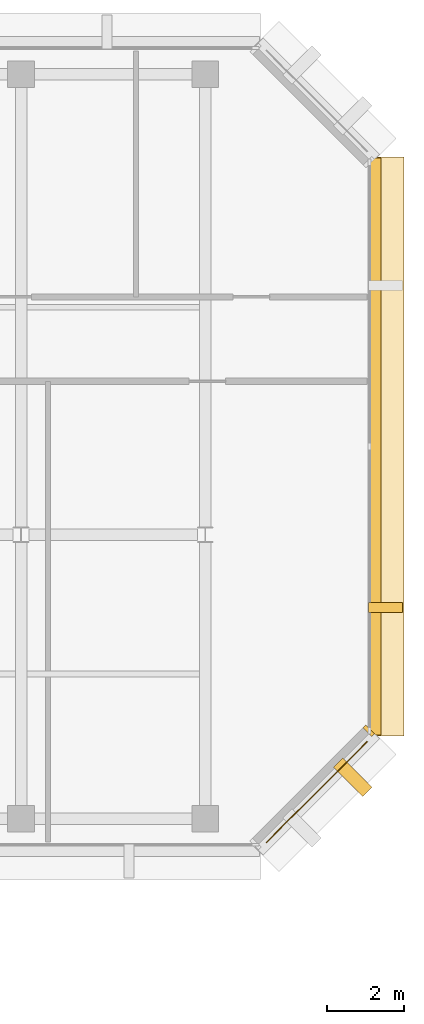
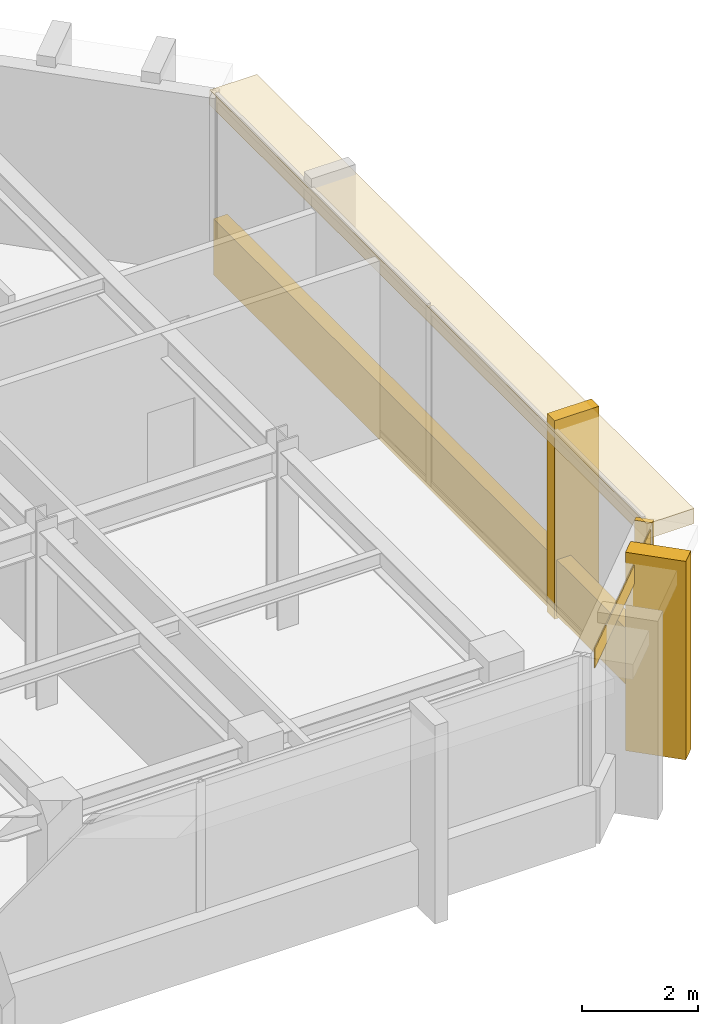
# One storey, part 11 of 13: 6 coverings.
"""IFC4 building model written with IfcOpenShell, lengths in metres."""

from ifc_helpers import new_model, si_unit, direction, frame, origin, origin_2d, place, context, subcontext, project, spatial, rectangle, extrude, material, layer, layer_set, type_object, element, save


model = new_model("IFC4")

# Units and contexts
model_context = context("Model", 3, precision=1e-05, world=origin(), true_north=direction((0.0, 1.0)))
body_context = subcontext(model_context, "Body", "Model", "MODEL_VIEW")
ifc_project = project(units=[si_unit("LENGTHUNIT", "METRE"), si_unit("AREAUNIT", "SQUARE_METRE"), si_unit("VOLUMEUNIT", "CUBIC_METRE"), si_unit("PLANEANGLEUNIT", "RADIAN"), si_unit("MASSUNIT", "GRAM", prefix="KILO")], contexts=[model_context])

# Site, building, storey
site_placement = place(None, origin())
site = spatial("IfcSite", under=ifc_project, at=site_placement, CompositionType="ELEMENT")
building_placement = place(site_placement, origin())
building = spatial("IfcBuilding", under=site, at=building_placement, Name="Kefirva Bronze Tower", CompositionType="ELEMENT")
storey_placement = place(building_placement, frame((0.0, 0.0, 311.85009765625)))
storey = spatial("IfcBuildingStorey", under=building, at=storey_placement, Name="L76", CompositionType="ELEMENT", Elevation=311.85009765625)

# Coverings
ifc_material = material(Name="Bronze anodised aluminium", Category="aluminium")
ifc_layer_1 = layer(ifc_material, 0.02001953125, Name="Bronze anodised aluminium")
ifc_layer_set_1 = layer_set([ifc_layer_1], Name="Bronze anodised aluminium")
covering_type_1 = type_object("IfcCoveringType", Name="Anodised Bronze Spandrel Cladding 20mm", PredefinedType="CLADDING", material=ifc_layer_set_1)
covering_1_placement = place(storey_placement, frame((42.906982421875, 26.492919921875, 3.320068359375), z_axis=(0.0, 0.0, 1.0), x_axis=(0.707106781187, 0.707106781187, 0.0)))
element("IfcCovering", 1, at=covering_1_placement, inside=storey, type_object=covering_type_1, Name="L76 Bronze Spandrel Cladding 7", PredefinedType="CLADDING", context=body_context, shape_type="SweptSolid", body=[
    extrude(rectangle(XDim=3.719482421875, YDim=0.02001953125, at=origin_2d()), origin(), (0.0, 0.0, 1.0), 0.39990234375),
])
covering_2_placement = place(storey_placement, frame((44.26220703125, 28.08837890625, 0.0), z_axis=(0.0, 0.0, 1.0), x_axis=(0.707106781187, 0.707106781187, 0.0)))
element("IfcCovering", 2, at=covering_2_placement, inside=storey, type_object=covering_type_1, Name="L76 Facade Joint Closure Panel 7E", PredefinedType="CLADDING", context=body_context, shape_type="SweptSolid", body=[
    extrude(rectangle(XDim=0.10009765625, YDim=0.320068359375, at=origin_2d()), origin(), (0.0, 0.0, 1.0), 3.739990234375),
])
covering_3_placement = place(storey_placement, frame((44.43994140625, 35.5, -0.16015625), z_axis=(0.0, 0.0, 1.0), x_axis=(0.0, 1.0, 0.0)))
element("IfcCovering", 3, at=covering_3_placement, inside=storey, type_object=covering_type_1, Name="L76 Streamline Horizontal Spandrel Band 10", PredefinedType="CLADDING", context=body_context, shape_type="SweptSolid", body=[
    extrude(rectangle(XDim=15.0400390625, YDim=0.280029296875, at=origin_2d()), origin(), (0.0, 0.0, 1.0), 1.179931640625),
])
ifc_layer_2 = layer(ifc_material, 0.179931640625, Name="Bronze anodised aluminium")
ifc_layer_set_2 = layer_set([ifc_layer_2], Name="Bronze anodised aluminium")
covering_type_2 = type_object("IfcCoveringType", Name="Streamline Bronze Sunshade Eyebrow Cladding 180mm", PredefinedType="CLADDING", material=ifc_layer_set_2)
covering_4_placement = place(storey_placement, frame((44.7099609375, 35.5, 3.419921875), z_axis=(0.0, 0.0, 1.0), x_axis=(0.0, 1.0, 0.0)))
element("IfcCovering", 4, at=covering_4_placement, inside=storey, type_object=covering_type_2, Name="L76 Streamline Bronze Sunshade Eyebrow 10", PredefinedType="CLADDING", context=body_context, shape_type="SweptSolid", body=[
    extrude(rectangle(XDim=15.080078125, YDim=0.93994140625, at=origin_2d()), origin(), (0.0, 0.0, 1.0), 0.320068359375),
])
ifc_layer_3 = layer(ifc_material, 0.260009765625, Name="Bronze anodised aluminium")
ifc_layer_set_3 = layer_set([ifc_layer_3], Name="Bronze anodised aluminium")
covering_type_3 = type_object("IfcCoveringType", Name="Unbroken Bronze Buttress Fin Cladding 260mm", PredefinedType="CLADDING", material=ifc_layer_set_3)
covering_5_placement = place(storey_placement, frame((43.8427734375, 26.877197265625, -0.22021484375), z_axis=(0.0, 0.0, 1.0), x_axis=(0.707106781187, 0.707106781187, 0.0)))
element("IfcCovering", 5, at=covering_5_placement, inside=storey, type_object=covering_type_3, Name="L76 Chamfered Corner Buttress Fin Cladding 12", PredefinedType="CLADDING", context=body_context, shape_type="SweptSolid", body=[
    extrude(rectangle(XDim=0.340087890625, YDim=1.080078125, at=origin_2d()), origin(), (0.0, 0.0, 1.0), 4.179931640625),
])
covering_6_placement = place(storey_placement, frame((44.699951171875, 31.300048828125, -0.22021484375), z_axis=(0.0, 0.0, 1.0), x_axis=(0.0, 1.0, 0.0)))
element("IfcCovering", 6, at=covering_6_placement, inside=storey, type_object=covering_type_3, Name="L76 Unbroken Vertical Bronze Rib Fin 13", PredefinedType="CLADDING", context=body_context, shape_type="SweptSolid", body=[
    extrude(rectangle(XDim=0.260009765625, YDim=0.8798828125, at=origin_2d()), origin(), (0.0, 0.0, 1.0), 4.179931640625),
])

save(model, "model.ifc")
